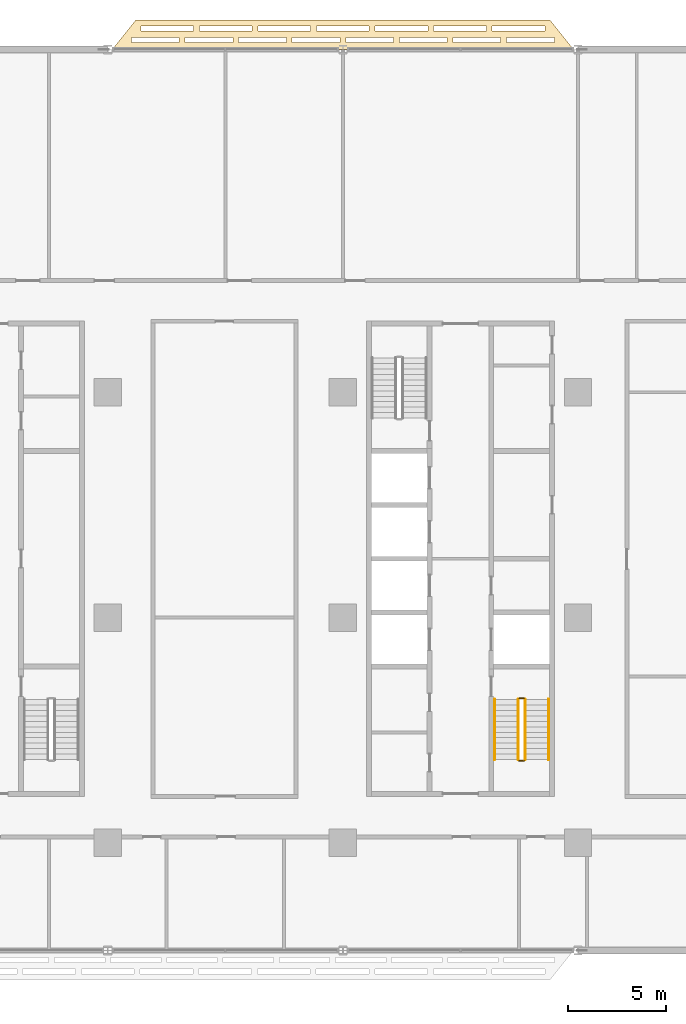
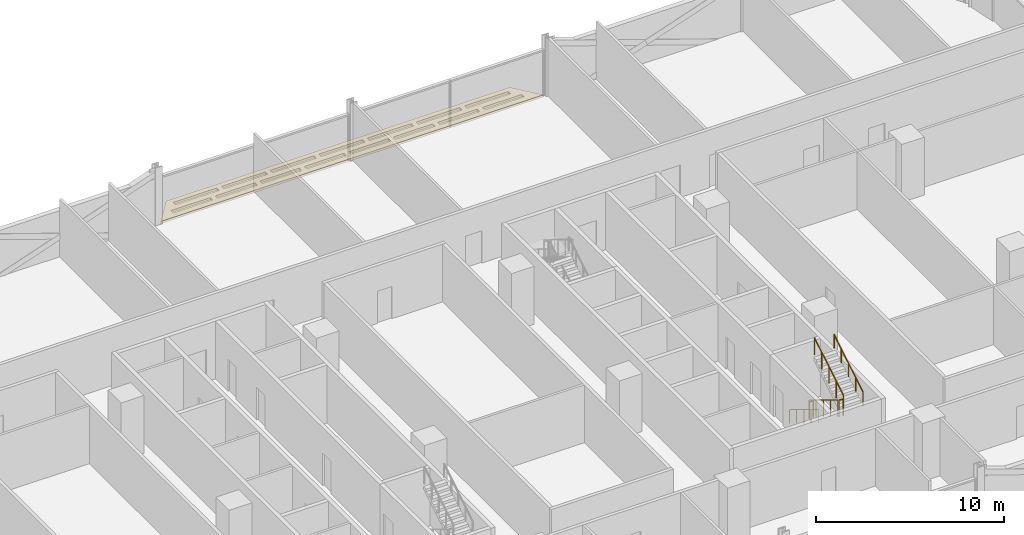
# One storey, part 28 of 29: 6 railings, 1 covering.
"""IFC4 building model written with IfcOpenShell, lengths in metres."""

from ifc_helpers import new_model, si_unit, direction, frame, origin, origin_2d, place, context, subcontext, project, spatial, polyline, circle, outline, extrude, material, layer, layer_set, type_object, element, save


model = new_model("IFC4")

# Units and contexts
model_context = context("Model", 3, precision=1e-05, world=origin(), true_north=direction((0.0, 1.0)))
body_context = subcontext(model_context, "Body", "Model", "MODEL_VIEW")
ifc_project = project(units=[si_unit("LENGTHUNIT", "METRE"), si_unit("AREAUNIT", "SQUARE_METRE"), si_unit("VOLUMEUNIT", "CUBIC_METRE"), si_unit("PLANEANGLEUNIT", "RADIAN"), si_unit("MASSUNIT", "GRAM", prefix="KILO")], contexts=[model_context])

# Site, building, storey
site_placement = place(None, origin())
site = spatial("IfcSite", under=ifc_project, at=site_placement, CompositionType="ELEMENT")
building_placement = place(site_placement, origin())
building = spatial("IfcBuilding", under=site, at=building_placement, Name="Mahtab Terrace Research Tower", CompositionType="ELEMENT")
storey_placement = place(building_placement, frame((0.0, 0.0, 97.10009765625)))
storey = spatial("IfcBuildingStorey", under=building, at=storey_placement, Name="L22", CompositionType="ELEMENT", Elevation=97.10009765625)

# Covering
ifc_material_1 = material(Name="Black anodised aluminium", Category="aluminium")
ifc_layer = layer(ifc_material_1, 0.14990234375)
ifc_layer_set = layer_set([ifc_layer], Name="Horizontal sunshade band")
covering_type = type_object("IfcCoveringType", Name="Horizontal sunshade band", PredefinedType="CLADDING", material=ifc_layer_set)
covering_placement = place(storey_placement, frame((0.0, 0.0, -0.150146484375)))
element("IfcCovering", 1, at=covering_placement, inside=storey, type_object=covering_type, Name="Sunshade band L22 5", PredefinedType="CLADDING", context=body_context, shape_type="SweptSolid", body=[
    extrude(outline(polyline([(29.77197265625, 29.0), (6.22802734375, 29.0), (7.427978515625, 30.5), (28.572021484375, 30.5), (29.77197265625, 29.0)]), holes=[polyline([(28.7919921875, 29.35009765625), (26.35595703125, 29.35009765625), (26.35595703125, 29.60009765625), (28.7919921875, 29.60009765625), (28.7919921875, 29.35009765625)]), polyline([(26.055908203125, 29.35009765625), (23.62109375, 29.35009765625), (23.62109375, 29.60009765625), (26.055908203125, 29.60009765625), (26.055908203125, 29.35009765625)]), polyline([(23.321044921875, 29.35009765625), (20.885009765625, 29.35009765625), (20.885009765625, 29.60009765625), (23.321044921875, 29.60009765625), (23.321044921875, 29.35009765625)]), polyline([(20.5849609375, 29.35009765625), (18.14990234375, 29.35009765625), (18.14990234375, 29.60009765625), (20.5849609375, 29.60009765625), (20.5849609375, 29.35009765625)]), polyline([(17.85009765625, 29.35009765625), (15.4150390625, 29.35009765625), (15.4150390625, 29.60009765625), (17.85009765625, 29.60009765625), (17.85009765625, 29.35009765625)]), polyline([(15.114013671875, 29.35009765625), (12.678955078125, 29.35009765625), (12.678955078125, 29.60009765625), (15.114013671875, 29.60009765625), (15.114013671875, 29.35009765625)]), polyline([(12.37890625, 29.35009765625), (9.944091796875, 29.35009765625), (9.944091796875, 29.60009765625), (12.37890625, 29.60009765625), (12.37890625, 29.35009765625)]), polyline([(9.64404296875, 29.35009765625), (7.2080078125, 29.35009765625), (7.2080078125, 29.60009765625), (9.64404296875, 29.60009765625), (9.64404296875, 29.35009765625)]), polyline([(28.31201171875, 29.949951171875), (25.623046875, 29.949951171875), (25.623046875, 30.199951171875), (28.31201171875, 30.199951171875), (28.31201171875, 29.949951171875)]), polyline([(25.322998046875, 29.949951171875), (22.634033203125, 29.949951171875), (22.634033203125, 30.199951171875), (25.322998046875, 30.199951171875), (25.322998046875, 29.949951171875)]), polyline([(22.333984375, 29.949951171875), (19.64501953125, 29.949951171875), (19.64501953125, 30.199951171875), (22.333984375, 30.199951171875), (22.333984375, 29.949951171875)]), polyline([(19.344970703125, 29.949951171875), (16.655029296875, 29.949951171875), (16.655029296875, 30.199951171875), (19.344970703125, 30.199951171875), (19.344970703125, 29.949951171875)]), polyline([(16.35498046875, 29.949951171875), (13.666015625, 29.949951171875), (13.666015625, 30.199951171875), (16.35498046875, 30.199951171875), (16.35498046875, 29.949951171875)]), polyline([(13.365966796875, 29.949951171875), (10.677001953125, 29.949951171875), (10.677001953125, 30.199951171875), (13.365966796875, 30.199951171875), (13.365966796875, 29.949951171875)]), polyline([(10.376953125, 29.949951171875), (7.68798828125, 29.949951171875), (7.68798828125, 30.199951171875), (10.376953125, 30.199951171875), (10.376953125, 29.949951171875)])]), origin(), (0.0, 0.0, 1.0), 0.150146484375),
])

# Railings
ifc_material_2 = material(Name="Stainless steel AISI 304", Category="steel")
railing_type_1 = type_object("IfcRailingType", Name="Stair guard 1100", PredefinedType="GUARDRAIL", material=ifc_material_2)
railing_1_placement = place(storey_placement, frame((26.949951171875, -4.175048828125, 0.170654296875)))
element("IfcRailing", 2, at=railing_1_placement, inside=storey, type_object=railing_type_1, Name="L22 ST4 stair guard 1", PredefinedType="GUARDRAIL", context=body_context, shape_type="SweptSolid", body=[
    extrude(circle(Radius=0.02392578125, at=origin_2d()), frame((0.0, 0.0, 1.076171875), z_axis=(0.0, -0.853647949592, 0.520850437417), x_axis=(1.0, 0.0, 0.0)), (0.0, 0.0, 1.0), 3.60791015625),
    extrude(circle(Radius=0.02099609375, at=origin_2d()), origin(), (0.0, 0.0, 1.0), 1.052001953125),
    extrude(circle(Radius=0.02099609375, at=origin_2d()), frame((0.0, -0.77001953125, 0.4697265625)), (0.0, 0.0, 1.0), 1.052001953125),
    extrude(circle(Radius=0.02099609375, at=origin_2d()), frame((0.0, -1.5400390625, 0.939453125)), (0.0, 0.0, 1.0), 1.052001953125),
    extrude(circle(Radius=0.02099609375, at=origin_2d()), frame((0.0, -2.309814453125, 1.409423828125)), (0.0, 0.0, 1.0), 1.052001953125),
    extrude(circle(Radius=0.02099609375, at=origin_2d()), frame((0.0, -3.079833984375, 1.879150390625)), (0.0, 0.0, 1.0), 1.052001953125),
])
railing_2_placement = place(storey_placement, frame((27.0, -7.304931640625, 2.0498046875)))
element("IfcRailing", 3, at=railing_2_placement, inside=storey, type_object=railing_type_1, Name="L22 ST4 stair guard 2", PredefinedType="GUARDRAIL", context=body_context, shape_type="SweptSolid", body=[
    extrude(circle(Radius=0.02392578125, at=origin_2d()), frame((0.0, 0.0, 1.076171875), z_axis=(1.0, 0.0, 0.0), x_axis=(0.0, 1.0, 0.0)), (0.0, 0.0, 1.0), 0.25),
    extrude(circle(Radius=0.02099609375, at=origin_2d()), origin(), (0.0, 0.0, 1.0), 1.052001953125),
    extrude(circle(Radius=0.02099609375, at=origin_2d()), frame((0.25, 0.0, 0.0)), (0.0, 0.0, 1.0), 1.052001953125),
])
railing_3_placement = place(storey_placement, frame((27.300048828125, -7.2548828125, 2.220703125)))
element("IfcRailing", 4, at=railing_3_placement, inside=storey, type_object=railing_type_1, Name="L22 ST4 stair guard 3", PredefinedType="GUARDRAIL", context=body_context, shape_type="SweptSolid", body=[
    extrude(circle(Radius=0.02392578125, at=origin_2d()), frame((0.0, 0.0, 1.076171875), z_axis=(0.0, 0.853647949592, 0.520850437417), x_axis=(-1.0, 0.0, 0.0)), (0.0, 0.0, 1.0), 3.60791015625),
    extrude(circle(Radius=0.02099609375, at=origin_2d()), origin(), (0.0, 0.0, 1.0), 1.052001953125),
    extrude(circle(Radius=0.02099609375, at=origin_2d()), frame((0.0, 0.77001953125, 0.4697265625)), (0.0, 0.0, 1.0), 1.052001953125),
    extrude(circle(Radius=0.02099609375, at=origin_2d()), frame((0.0, 1.5400390625, 0.939453125)), (0.0, 0.0, 1.0), 1.052001953125),
    extrude(circle(Radius=0.02099609375, at=origin_2d()), frame((0.0, 2.309814453125, 1.409423828125)), (0.0, 0.0, 1.0), 1.052001953125),
    extrude(circle(Radius=0.02099609375, at=origin_2d()), frame((0.0, 3.079833984375, 1.879150390625)), (0.0, 0.0, 1.0), 1.052001953125),
])
railing_4_placement = place(storey_placement, frame((27.0, -4.125, 0.0)))
element("IfcRailing", 5, at=railing_4_placement, inside=storey, type_object=railing_type_1, Name="L22 ST4 stair guard 4", PredefinedType="GUARDRAIL", context=body_context, shape_type="SweptSolid", body=[
    extrude(circle(Radius=0.02392578125, at=origin_2d()), frame((0.0, 0.0, 1.076171875), z_axis=(1.0, 0.0, 0.0), x_axis=(0.0, 1.0, 0.0)), (0.0, 0.0, 1.0), 0.25),
    extrude(circle(Radius=0.02099609375, at=origin_2d()), origin(), (0.0, 0.0, 1.0), 1.052001953125),
    extrude(circle(Radius=0.02099609375, at=origin_2d()), frame((0.25, 0.0, 0.0)), (0.0, 0.0, 1.0), 1.052001953125),
])
railing_type_2 = type_object("IfcRailingType", Name="Stair handrail 900", PredefinedType="HANDRAIL", material=ifc_material_2)
railing_5_placement = place(storey_placement, frame((25.75, -4.175048828125, 0.170654296875)))
element("IfcRailing", 6, at=railing_5_placement, inside=storey, type_object=railing_type_2, Name="L22 ST4 stair handrail 1", PredefinedType="HANDRAIL", context=body_context, shape_type="SweptSolid", body=[
    extrude(circle(Radius=0.02392578125, at=origin_2d()), frame((0.0, 0.0, 0.8759765625), z_axis=(0.0, -0.853647949592, 0.520850437417), x_axis=(1.0, 0.0, 0.0)), (0.0, 0.0, 1.0), 3.60791015625),
    extrude(circle(Radius=0.02099609375, at=origin_2d()), origin(), (0.0, 0.0, 1.0), 0.851806640625),
    extrude(circle(Radius=0.02099609375, at=origin_2d()), frame((0.0, -0.77001953125, 0.4697265625)), (0.0, 0.0, 1.0), 0.851806640625),
    extrude(circle(Radius=0.02099609375, at=origin_2d()), frame((0.0, -1.5400390625, 0.939453125)), (0.0, 0.0, 1.0), 0.851806640625),
    extrude(circle(Radius=0.02099609375, at=origin_2d()), frame((0.0, -2.309814453125, 1.409423828125)), (0.0, 0.0, 1.0), 0.851806640625),
    extrude(circle(Radius=0.02099609375, at=origin_2d()), frame((0.0, -3.079833984375, 1.879150390625)), (0.0, 0.0, 1.0), 0.851806640625),
])
railing_6_placement = place(storey_placement, frame((28.5, -7.2548828125, 2.220703125)))
element("IfcRailing", 7, at=railing_6_placement, inside=storey, type_object=railing_type_2, Name="L22 ST4 stair handrail 2", PredefinedType="HANDRAIL", context=body_context, shape_type="SweptSolid", body=[
    extrude(circle(Radius=0.02392578125, at=origin_2d()), frame((0.0, 0.0, 0.8759765625), z_axis=(0.0, 0.853647949592, 0.520850437417), x_axis=(-1.0, 0.0, 0.0)), (0.0, 0.0, 1.0), 3.60791015625),
    extrude(circle(Radius=0.02099609375, at=origin_2d()), origin(), (0.0, 0.0, 1.0), 0.851806640625),
    extrude(circle(Radius=0.02099609375, at=origin_2d()), frame((0.0, 0.77001953125, 0.4697265625)), (0.0, 0.0, 1.0), 0.851806640625),
    extrude(circle(Radius=0.02099609375, at=origin_2d()), frame((0.0, 1.5400390625, 0.939453125)), (0.0, 0.0, 1.0), 0.851806640625),
    extrude(circle(Radius=0.02099609375, at=origin_2d()), frame((0.0, 2.309814453125, 1.409423828125)), (0.0, 0.0, 1.0), 0.851806640625),
    extrude(circle(Radius=0.02099609375, at=origin_2d()), frame((0.0, 3.079833984375, 1.879150390625)), (0.0, 0.0, 1.0), 0.851806640625),
])

save(model, "model.ifc")
